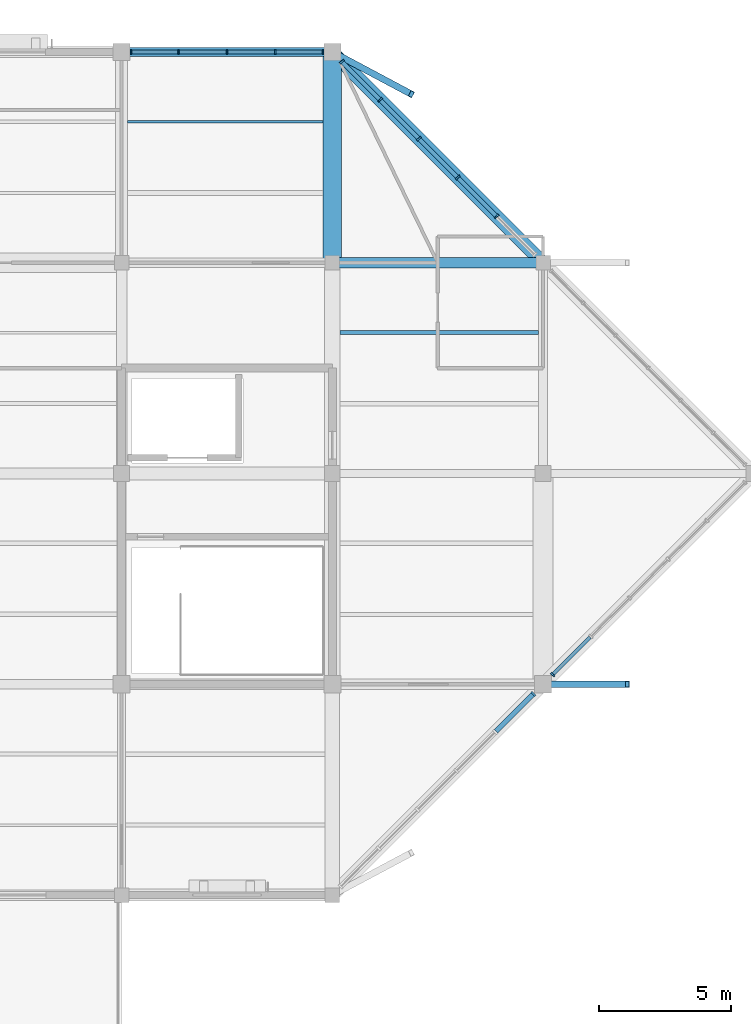
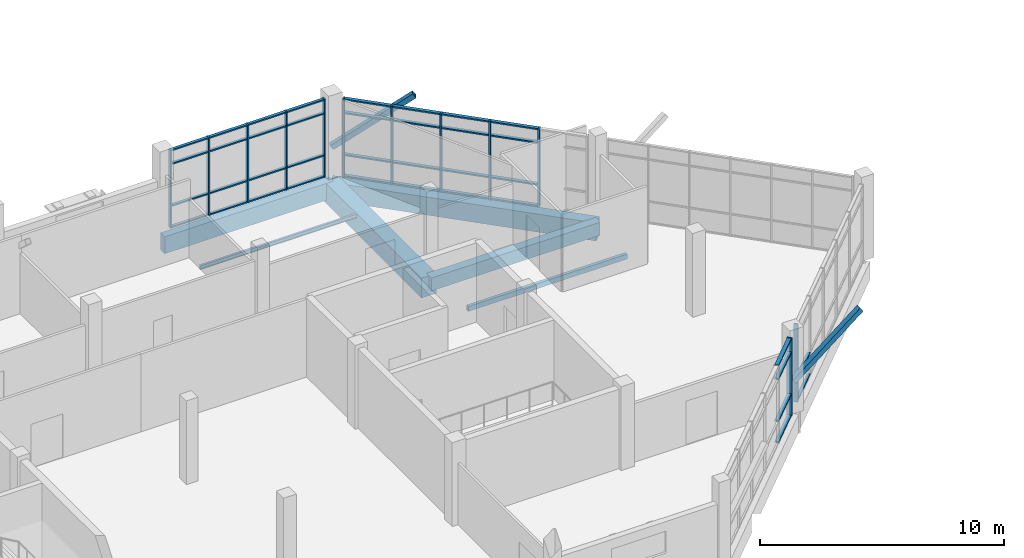
# One storey, part 22 of 72: 52 members, 6 beams, 4 elements without a shape of their own.
"""IFC4 building model written with IfcOpenShell, lengths in metres."""

from ifc_helpers import new_model, si_unit, direction, frame, origin, origin_2d, place, context, subcontext, project, spatial, rectangle, hollow_rectangle, i_section, extrude, material, material_profile, profile_set, type_object, element, aggregate, save


model = new_model("IFC4")

# Units and contexts
model_context = context("Model", 3, precision=1e-05, world=origin(), true_north=direction((0.0, 1.0)))
body_context = subcontext(model_context, "Body", "Model", "MODEL_VIEW")
ifc_project = project(units=[si_unit("LENGTHUNIT", "METRE"), si_unit("AREAUNIT", "SQUARE_METRE"), si_unit("VOLUMEUNIT", "CUBIC_METRE"), si_unit("PLANEANGLEUNIT", "RADIAN"), si_unit("MASSUNIT", "GRAM", prefix="KILO")], contexts=[model_context])

# Site, building, storey
site_placement = place(None, origin())
site = spatial("IfcSite", under=ifc_project, at=site_placement, CompositionType="ELEMENT")
building_placement = place(site_placement, origin())
building = spatial("IfcBuilding", under=site, at=building_placement, Name="Tenunan Teduh Sports Hall", CompositionType="ELEMENT")
storey_placement = place(building_placement, frame((0.0, 0.0, 15.0)))
storey = spatial("IfcBuildingStorey", under=building, at=storey_placement, Name="L03", CompositionType="ELEMENT", Elevation=15.0)

# Beams
ifc_material_1 = material(Name="Concrete C40/50", Category="concrete")
ifc_material_profile_1 = material_profile(ifc_material_1, rectangle(XDim=0.39990234375, YDim=0.64990234375, at=origin_2d()), Name="RCB 400x650")
ifc_profile_set_1 = profile_set([ifc_material_profile_1], Name="Concrete C40/50")
beam_type_1 = type_object("IfcBeamType", Name="BM-RC-400x650", PredefinedType="BEAM", material=ifc_profile_set_1)
beam_1_placement = place(storey_placement, frame((62.0, 110.0, -0.56494140625), z_axis=(1.0, 0.0, 0.0), x_axis=(0.0, 1.0, 0.0)))
element("IfcBeam", 1, at=beam_1_placement, inside=storey, type_object=beam_type_1, Name="BM-B-07-L03-1869", PredefinedType="BEAM", context=body_context, shape_type="SweptSolid", body=[
    extrude(rectangle(XDim=0.39990234375, YDim=0.64990234375, at=origin_2d()), origin(), (0.0, 0.0, 1.0), 8.0),
])
ifc_material_2 = material(Name="Concrete C40/50", Category="concrete")
ifc_material_profile_2 = material_profile(ifc_material_2, rectangle(XDim=0.5, YDim=0.89990234375, at=origin_2d()), Name="RCB 500x900")
ifc_profile_set_2 = profile_set([ifc_material_profile_2], Name="Concrete C40/50")
beam_type_2 = type_object("IfcBeamType", Name="BM-RC-500x900", PredefinedType="BEAM", material=ifc_profile_set_2)
beam_2_placement = place(storey_placement, frame((70.0, 110.0, -0.68994140625), z_axis=(-0.707106781187, 0.707106781187, 0.0), x_axis=(-0.707106781187, -0.707106781187, 0.0)))
element("IfcBeam", 2, at=beam_2_placement, inside=storey, type_object=beam_type_2, Name="BM-B-15-L03-0611", PredefinedType="BEAM", context=body_context, shape_type="SweptSolid", body=[
    extrude(rectangle(XDim=0.5, YDim=0.89990234375, at=origin_2d()), origin(), (0.0, 0.0, 1.0), 11.313720703125),
])
ifc_material_3 = material(Name="Concrete C40/50", Category="concrete")
ifc_material_profile_3 = material_profile(ifc_material_3, rectangle(XDim=0.699951171875, YDim=1.0, at=origin_2d()), Name="RCB 700x1000")
ifc_profile_set_3 = profile_set([ifc_material_profile_3], Name="Concrete C40/50")
beam_type_3 = type_object("IfcBeamType", Name="BM-RC-700x1000", PredefinedType="SPANDREL", material=ifc_profile_set_3)
beam_3_placement = place(storey_placement, frame((62.0, 110.0, -0.739990234375), z_axis=(0.0, 1.0, 0.0), x_axis=(-1.0, 0.0, 0.0)))
element("IfcBeam", 3, at=beam_3_placement, inside=storey, type_object=beam_type_3, Name="BM-B-19-L03-1929", PredefinedType="SPANDREL", context=body_context, shape_type="SweptSolid", body=[
    extrude(rectangle(XDim=0.699951171875, YDim=1.0, at=origin_2d()), origin(), (0.0, 0.0, 1.0), 8.0),
])
ifc_material_4 = material(Name="Concrete C40/50", Category="concrete")
ifc_material_profile_4 = material_profile(ifc_material_4, rectangle(XDim=0.35009765625, YDim=0.85009765625, at=origin_2d()), Name="SPB 350x850")
ifc_profile_set_4 = profile_set([ifc_material_profile_4], Name="Concrete C40/50")
beam_type_4 = type_object("IfcBeamType", Name="BM-SP-350x850", PredefinedType="SPANDREL", material=ifc_profile_set_4)
beam_4_placement = place(storey_placement, frame((54.0, 118.0, -0.6650390625), z_axis=(1.0, 0.0, 0.0), x_axis=(0.0, 1.0, 0.0)))
element("IfcBeam", 4, at=beam_4_placement, inside=storey, type_object=beam_type_4, Name="BM-SP-02-L03-1876", PredefinedType="SPANDREL", context=body_context, shape_type="SweptSolid", body=[
    extrude(rectangle(XDim=0.35009765625, YDim=0.85009765625, at=origin_2d()), origin(), (0.0, 0.0, 1.0), 8.0),
])

# Curtain wall, member
ifc_material_5 = material(Name="Anodised aluminium", Category="aluminium")
curtain_wall_type = type_object("IfcCurtainWallType", Name="CW-UNIT-2", PredefinedType="NOTDEFINED", material=ifc_material_5)
curtain_wall_1_placement = place(storey_placement, origin())
curtain_wall_1 = element("IfcCurtainWall", 5, at=curtain_wall_1_placement, inside=storey, type_object=curtain_wall_type, Name="CW-CWM-175-L03-222", PredefinedType="NOTDEFINED")
ifc_material_6 = material(Name="Anodised aluminium", Category="aluminium")
ifc_material_profile_5 = material_profile(ifc_material_6, rectangle(XDim=0.06494140625, YDim=0.175048828125, at=origin_2d()), Name="CWM 65x175")
ifc_profile_set_5 = profile_set([ifc_material_profile_5], Name="Anodised aluminium")
member_type_1 = type_object("IfcMemberType", Name="CWM-175", PredefinedType="MULLION", material=ifc_profile_set_5)
member_1_placement = place(storey_placement, frame((70.3642578125, 94.3642578125, 0.0), z_axis=(0.0, 0.0, 1.0), x_axis=(0.707106781187, 0.707106781187, 0.0)))
member_1 = element("IfcMember", 6, at=member_1_placement, type_object=member_type_1, Name="CW-02 mullion 1", PredefinedType="MULLION", context=body_context, shape_type="SweptSolid", body=[
    extrude(rectangle(XDim=0.06494140625, YDim=0.175048828125, at=origin_2d()), origin(), (0.0, 0.0, 1.0), 3.919921875),
])

# Curtain wall, members
curtain_wall_2_placement = place(storey_placement, origin())
curtain_wall_2 = element("IfcCurtainWall", 7, at=curtain_wall_2_placement, inside=storey, type_object=curtain_wall_type, Name="CW-CWM-175-L03-226", PredefinedType="NOTDEFINED")
member_2_placement = place(storey_placement, frame((54.357421875, 118.0, 0.0), z_axis=(0.0, 0.0, 1.0), x_axis=(1.0, 0.0, 0.0)))
member_2 = element("IfcMember", 8, at=member_2_placement, type_object=member_type_1, Name="CW-02 mullion 1", PredefinedType="MULLION", context=body_context, shape_type="SweptSolid", body=[
    extrude(rectangle(XDim=0.06494140625, YDim=0.175048828125, at=origin_2d()), origin(), (0.0, 0.0, 1.0), 3.919921875),
])
member_3_placement = place(storey_placement, frame((56.16259765625, 118.0, 0.0), z_axis=(0.0, 0.0, 1.0), x_axis=(1.0, 0.0, 0.0)))
member_3 = element("IfcMember", 9, at=member_3_placement, type_object=member_type_1, Name="CW-02 mullion 2", PredefinedType="MULLION", context=body_context, shape_type="SweptSolid", body=[
    extrude(rectangle(XDim=0.06494140625, YDim=0.175048828125, at=origin_2d()), origin(), (0.0, 0.0, 1.0), 3.919921875),
])
member_4_placement = place(storey_placement, frame((58.0, 118.0, 0.0), z_axis=(0.0, 0.0, 1.0), x_axis=(1.0, 0.0, 0.0)))
member_4 = element("IfcMember", 10, at=member_4_placement, type_object=member_type_1, Name="CW-02 mullion 3", PredefinedType="MULLION", context=body_context, shape_type="SweptSolid", body=[
    extrude(rectangle(XDim=0.06494140625, YDim=0.175048828125, at=origin_2d()), origin(), (0.0, 0.0, 1.0), 3.919921875),
])
member_5_placement = place(storey_placement, frame((59.83740234375, 118.0, 0.0), z_axis=(0.0, 0.0, 1.0), x_axis=(1.0, 0.0, 0.0)))
member_5 = element("IfcMember", 11, at=member_5_placement, type_object=member_type_1, Name="CW-02 mullion 4", PredefinedType="MULLION", context=body_context, shape_type="SweptSolid", body=[
    extrude(rectangle(XDim=0.06494140625, YDim=0.175048828125, at=origin_2d()), origin(), (0.0, 0.0, 1.0), 3.919921875),
])
member_6_placement = place(storey_placement, frame((61.642578125, 118.0, 0.0), z_axis=(0.0, 0.0, 1.0), x_axis=(1.0, 0.0, 0.0)))
member_6 = element("IfcMember", 12, at=member_6_placement, type_object=member_type_1, Name="CW-02 mullion 5", PredefinedType="MULLION", context=body_context, shape_type="SweptSolid", body=[
    extrude(rectangle(XDim=0.06494140625, YDim=0.175048828125, at=origin_2d()), origin(), (0.0, 0.0, 1.0), 3.919921875),
])

curtain_wall_3_placement = place(storey_placement, origin())
curtain_wall_3 = element("IfcCurtainWall", 13, at=curtain_wall_3_placement, inside=storey, type_object=curtain_wall_type, Name="CW-CWM-200-L03-224", PredefinedType="NOTDEFINED")
ifc_material_7 = material(Name="Anodised aluminium", Category="aluminium")
ifc_material_profile_6 = material_profile(ifc_material_7, rectangle(XDim=0.070068359375, YDim=0.199951171875, at=origin_2d()), Name="CWM 70x200")
ifc_profile_set_6 = profile_set([ifc_material_profile_6], Name="Anodised aluminium")
member_type_2 = type_object("IfcMemberType", Name="CWM-200", PredefinedType="MULLION", material=ifc_profile_set_6)
member_7_placement = place(storey_placement, frame((68.2373046875, 111.7626953125, 0.0), z_axis=(0.0, 0.0, 1.0), x_axis=(-0.707106781187, 0.707106781187, 0.0)))
member_7 = element("IfcMember", 14, at=member_7_placement, type_object=member_type_2, Name="CW-02 mullion 2", PredefinedType="MULLION", context=body_context, shape_type="SweptSolid", body=[
    extrude(rectangle(XDim=0.070068359375, YDim=0.199951171875, at=origin_2d()), origin(), (0.0, 0.0, 1.0), 3.919921875),
])
member_8_placement = place(storey_placement, frame((66.76318359375, 113.23681640625, 0.0), z_axis=(0.0, 0.0, 1.0), x_axis=(-0.707106781187, 0.707106781187, 0.0)))
member_8 = element("IfcMember", 15, at=member_8_placement, type_object=member_type_2, Name="CW-02 mullion 3", PredefinedType="MULLION", context=body_context, shape_type="SweptSolid", body=[
    extrude(rectangle(XDim=0.070068359375, YDim=0.199951171875, at=origin_2d()), origin(), (0.0, 0.0, 1.0), 3.919921875),
])
member_9_placement = place(storey_placement, frame((65.289306640625, 114.710693359375, 0.0), z_axis=(0.0, 0.0, 1.0), x_axis=(-0.707106781187, 0.707106781187, 0.0)))
member_9 = element("IfcMember", 16, at=member_9_placement, type_object=member_type_2, Name="CW-02 mullion 4", PredefinedType="MULLION", context=body_context, shape_type="SweptSolid", body=[
    extrude(rectangle(XDim=0.070068359375, YDim=0.199951171875, at=origin_2d()), origin(), (0.0, 0.0, 1.0), 3.919921875),
])
member_10_placement = place(storey_placement, frame((63.815185546875, 116.184814453125, 0.0), z_axis=(0.0, 0.0, 1.0), x_axis=(-0.707106781187, 0.707106781187, 0.0)))
member_10 = element("IfcMember", 17, at=member_10_placement, type_object=member_type_2, Name="CW-02 mullion 5", PredefinedType="MULLION", context=body_context, shape_type="SweptSolid", body=[
    extrude(rectangle(XDim=0.070068359375, YDim=0.199951171875, at=origin_2d()), origin(), (0.0, 0.0, 1.0), 3.919921875),
])
member_11_placement = place(storey_placement, frame((62.365966796875, 117.634033203125, 0.0), z_axis=(0.0, 0.0, 1.0), x_axis=(-0.707106781187, 0.707106781187, 0.0)))
member_11 = element("IfcMember", 18, at=member_11_placement, type_object=member_type_2, Name="CW-02 mullion 6", PredefinedType="MULLION", context=body_context, shape_type="SweptSolid", body=[
    extrude(rectangle(XDim=0.070068359375, YDim=0.199951171875, at=origin_2d()), origin(), (0.0, 0.0, 1.0), 3.919921875),
])

# Curtain wall, member
curtain_wall_4_placement = place(storey_placement, origin())
curtain_wall_4 = element("IfcCurtainWall", 19, at=curtain_wall_4_placement, inside=storey, type_object=curtain_wall_type, Name="CW-CWM-220-L03-221", PredefinedType="NOTDEFINED")
ifc_material_8 = material(Name="Anodised aluminium", Category="aluminium")
ifc_material_profile_7 = material_profile(ifc_material_8, rectangle(XDim=0.074951171875, YDim=0.219970703125, at=origin_2d()), Name="CWM 75x220")
ifc_profile_set_7 = profile_set([ifc_material_profile_7], Name="Anodised aluminium")
member_type_3 = type_object("IfcMemberType", Name="CWM-220", PredefinedType="MULLION", material=ifc_profile_set_7)
member_12_placement = place(storey_placement, frame((69.632080078125, 93.632080078125, 0.0), z_axis=(0.0, 0.0, 1.0), x_axis=(0.707101844633, 0.707111717706, 0.0)))
member_12 = element("IfcMember", 20, at=member_12_placement, type_object=member_type_3, Name="CW-02 mullion 6", PredefinedType="MULLION", context=body_context, shape_type="SweptSolid", body=[
    extrude(rectangle(XDim=0.074951171875, YDim=0.219970703125, at=origin_2d()), origin(), (0.0, 0.0, 1.0), 3.919921875),
])

# Member
ifc_material_9 = material(Name="Anodised aluminium", Category="aluminium")
ifc_material_profile_8 = material_profile(ifc_material_9, rectangle(XDim=0.06494140625, YDim=0.139892578125, at=origin_2d()), Name="CWT 65x140")
ifc_profile_set_8 = profile_set([ifc_material_profile_8], Name="Anodised aluminium")
member_type_4 = type_object("IfcMemberType", Name="CWT-150", PredefinedType="USERDEFINED", material=ifc_profile_set_8)
member_13_placement = place(storey_placement, frame((70.38720703125, 94.38720703125, 0.032470703125), z_axis=(0.707106781187, 0.707106781187, 0.0), x_axis=(0.0, 0.0, 1.0)))
member_13 = element("IfcMember", 21, at=member_13_placement, type_object=member_type_4, Name="CW-02 transom 1.1", ObjectType="TRANSOM", PredefinedType="USERDEFINED", context=body_context, shape_type="SweptSolid", body=[
    extrude(rectangle(XDim=0.06494140625, YDim=0.139892578125, at=origin_2d()), origin(), (0.0, 0.0, 1.0), 1.979736328125),
])

member_14_placement = place(storey_placement, frame((70.38720703125, 94.38720703125, 1.10009765625), z_axis=(0.707106781187, 0.707106781187, 0.0), x_axis=(0.0, 0.0, 1.0)))
member_14 = element("IfcMember", 22, at=member_14_placement, type_object=member_type_4, Name="CW-02 transom 1.2", ObjectType="TRANSOM", PredefinedType="USERDEFINED", context=body_context, shape_type="SweptSolid", body=[
    extrude(rectangle(XDim=0.06494140625, YDim=0.139892578125, at=origin_2d()), origin(), (0.0, 0.0, 1.0), 1.979736328125),
])

aggregate(curtain_wall_1, [member_1, member_13, member_14])

member_15_placement = place(storey_placement, frame((54.389892578125, 118.0, 0.032470703125), z_axis=(1.0, 0.0, 0.0), x_axis=(0.0, 0.0, 1.0)))
member_15 = element("IfcMember", 23, at=member_15_placement, type_object=member_type_4, Name="CW-02 transom 1.1", ObjectType="TRANSOM", PredefinedType="USERDEFINED", context=body_context, shape_type="SweptSolid", body=[
    extrude(rectangle(XDim=0.06494140625, YDim=0.139892578125, at=origin_2d()), origin(), (0.0, 0.0, 1.0), 1.739990234375),
])

member_16_placement = place(storey_placement, frame((54.389892578125, 118.0, 1.10009765625), z_axis=(1.0, 0.0, 0.0), x_axis=(0.0, 0.0, 1.0)))
member_16 = element("IfcMember", 24, at=member_16_placement, type_object=member_type_4, Name="CW-02 transom 1.2", ObjectType="TRANSOM", PredefinedType="USERDEFINED", context=body_context, shape_type="SweptSolid", body=[
    extrude(rectangle(XDim=0.06494140625, YDim=0.139892578125, at=origin_2d()), origin(), (0.0, 0.0, 1.0), 1.739990234375),
])

member_17_placement = place(storey_placement, frame((54.389892578125, 118.0, 3.199951171875), z_axis=(1.0, 0.0, 0.0), x_axis=(0.0, 0.0, 1.0)))
member_17 = element("IfcMember", 25, at=member_17_placement, type_object=member_type_4, Name="CW-02 transom 1.3", ObjectType="TRANSOM", PredefinedType="USERDEFINED", context=body_context, shape_type="SweptSolid", body=[
    extrude(rectangle(XDim=0.06494140625, YDim=0.139892578125, at=origin_2d()), origin(), (0.0, 0.0, 1.0), 1.739990234375),
])

member_18_placement = place(storey_placement, frame((54.389892578125, 118.0, 3.887451171875), z_axis=(1.0, 0.0, 0.0), x_axis=(0.0, 0.0, 1.0)))
member_18 = element("IfcMember", 26, at=member_18_placement, type_object=member_type_4, Name="CW-02 transom 1.4", ObjectType="TRANSOM", PredefinedType="USERDEFINED", context=body_context, shape_type="SweptSolid", body=[
    extrude(rectangle(XDim=0.06494140625, YDim=0.139892578125, at=origin_2d()), origin(), (0.0, 0.0, 1.0), 1.739990234375),
])

member_19_placement = place(storey_placement, frame((56.195068359375, 118.0, 0.032470703125), z_axis=(1.0, 0.0, 0.0), x_axis=(0.0, 0.0, 1.0)))
member_19 = element("IfcMember", 27, at=member_19_placement, type_object=member_type_4, Name="CW-02 transom 2.1", ObjectType="TRANSOM", PredefinedType="USERDEFINED", context=body_context, shape_type="SweptSolid", body=[
    extrude(rectangle(XDim=0.06494140625, YDim=0.139892578125, at=origin_2d()), origin(), (0.0, 0.0, 1.0), 1.7724609375),
])

member_20_placement = place(storey_placement, frame((56.195068359375, 118.0, 1.10009765625), z_axis=(1.0, 0.0, 0.0), x_axis=(0.0, 0.0, 1.0)))
member_20 = element("IfcMember", 28, at=member_20_placement, type_object=member_type_4, Name="CW-02 transom 2.2", ObjectType="TRANSOM", PredefinedType="USERDEFINED", context=body_context, shape_type="SweptSolid", body=[
    extrude(rectangle(XDim=0.06494140625, YDim=0.139892578125, at=origin_2d()), origin(), (0.0, 0.0, 1.0), 1.7724609375),
])

member_21_placement = place(storey_placement, frame((56.195068359375, 118.0, 3.199951171875), z_axis=(1.0, 0.0, 0.0), x_axis=(0.0, 0.0, 1.0)))
member_21 = element("IfcMember", 29, at=member_21_placement, type_object=member_type_4, Name="CW-02 transom 2.3", ObjectType="TRANSOM", PredefinedType="USERDEFINED", context=body_context, shape_type="SweptSolid", body=[
    extrude(rectangle(XDim=0.06494140625, YDim=0.139892578125, at=origin_2d()), origin(), (0.0, 0.0, 1.0), 1.7724609375),
])

member_22_placement = place(storey_placement, frame((56.195068359375, 118.0, 3.887451171875), z_axis=(1.0, 0.0, 0.0), x_axis=(0.0, 0.0, 1.0)))
member_22 = element("IfcMember", 30, at=member_22_placement, type_object=member_type_4, Name="CW-02 transom 2.4", ObjectType="TRANSOM", PredefinedType="USERDEFINED", context=body_context, shape_type="SweptSolid", body=[
    extrude(rectangle(XDim=0.06494140625, YDim=0.139892578125, at=origin_2d()), origin(), (0.0, 0.0, 1.0), 1.7724609375),
])

member_23_placement = place(storey_placement, frame((58.032470703125, 118.0, 0.032470703125), z_axis=(1.0, 0.0, 0.0), x_axis=(0.0, 0.0, 1.0)))
member_23 = element("IfcMember", 31, at=member_23_placement, type_object=member_type_4, Name="CW-02 transom 3.1", ObjectType="TRANSOM", PredefinedType="USERDEFINED", context=body_context, shape_type="SweptSolid", body=[
    extrude(rectangle(XDim=0.06494140625, YDim=0.139892578125, at=origin_2d()), origin(), (0.0, 0.0, 1.0), 1.7724609375),
])

member_24_placement = place(storey_placement, frame((58.032470703125, 118.0, 1.10009765625), z_axis=(1.0, 0.0, 0.0), x_axis=(0.0, 0.0, 1.0)))
member_24 = element("IfcMember", 32, at=member_24_placement, type_object=member_type_4, Name="CW-02 transom 3.2", ObjectType="TRANSOM", PredefinedType="USERDEFINED", context=body_context, shape_type="SweptSolid", body=[
    extrude(rectangle(XDim=0.06494140625, YDim=0.139892578125, at=origin_2d()), origin(), (0.0, 0.0, 1.0), 1.7724609375),
])

member_25_placement = place(storey_placement, frame((58.032470703125, 118.0, 3.199951171875), z_axis=(1.0, 0.0, 0.0), x_axis=(0.0, 0.0, 1.0)))
member_25 = element("IfcMember", 33, at=member_25_placement, type_object=member_type_4, Name="CW-02 transom 3.3", ObjectType="TRANSOM", PredefinedType="USERDEFINED", context=body_context, shape_type="SweptSolid", body=[
    extrude(rectangle(XDim=0.06494140625, YDim=0.139892578125, at=origin_2d()), origin(), (0.0, 0.0, 1.0), 1.7724609375),
])

member_26_placement = place(storey_placement, frame((58.032470703125, 118.0, 3.887451171875), z_axis=(1.0, 0.0, 0.0), x_axis=(0.0, 0.0, 1.0)))
member_26 = element("IfcMember", 34, at=member_26_placement, type_object=member_type_4, Name="CW-02 transom 3.4", ObjectType="TRANSOM", PredefinedType="USERDEFINED", context=body_context, shape_type="SweptSolid", body=[
    extrude(rectangle(XDim=0.06494140625, YDim=0.139892578125, at=origin_2d()), origin(), (0.0, 0.0, 1.0), 1.7724609375),
])

member_27_placement = place(storey_placement, frame((59.8701171875, 118.0, 0.032470703125), z_axis=(1.0, 0.0, 0.0), x_axis=(0.0, 0.0, 1.0)))
member_27 = element("IfcMember", 35, at=member_27_placement, type_object=member_type_4, Name="CW-02 transom 4.1", ObjectType="TRANSOM", PredefinedType="USERDEFINED", context=body_context, shape_type="SweptSolid", body=[
    extrude(rectangle(XDim=0.06494140625, YDim=0.139892578125, at=origin_2d()), origin(), (0.0, 0.0, 1.0), 1.739990234375),
])

member_28_placement = place(storey_placement, frame((59.8701171875, 118.0, 1.10009765625), z_axis=(1.0, 0.0, 0.0), x_axis=(0.0, 0.0, 1.0)))
member_28 = element("IfcMember", 36, at=member_28_placement, type_object=member_type_4, Name="CW-02 transom 4.2", ObjectType="TRANSOM", PredefinedType="USERDEFINED", context=body_context, shape_type="SweptSolid", body=[
    extrude(rectangle(XDim=0.06494140625, YDim=0.139892578125, at=origin_2d()), origin(), (0.0, 0.0, 1.0), 1.739990234375),
])

member_29_placement = place(storey_placement, frame((59.8701171875, 118.0, 3.199951171875), z_axis=(1.0, 0.0, 0.0), x_axis=(0.0, 0.0, 1.0)))
member_29 = element("IfcMember", 37, at=member_29_placement, type_object=member_type_4, Name="CW-02 transom 4.3", ObjectType="TRANSOM", PredefinedType="USERDEFINED", context=body_context, shape_type="SweptSolid", body=[
    extrude(rectangle(XDim=0.06494140625, YDim=0.139892578125, at=origin_2d()), origin(), (0.0, 0.0, 1.0), 1.739990234375),
])

member_30_placement = place(storey_placement, frame((59.8701171875, 118.0, 3.887451171875), z_axis=(1.0, 0.0, 0.0), x_axis=(0.0, 0.0, 1.0)))
member_30 = element("IfcMember", 38, at=member_30_placement, type_object=member_type_4, Name="CW-02 transom 4.4", ObjectType="TRANSOM", PredefinedType="USERDEFINED", context=body_context, shape_type="SweptSolid", body=[
    extrude(rectangle(XDim=0.06494140625, YDim=0.139892578125, at=origin_2d()), origin(), (0.0, 0.0, 1.0), 1.739990234375),
])

aggregate(curtain_wall_2, [member_2, member_3, member_4, member_5, member_6, member_15, member_16, member_17, member_18, member_19, member_20, member_21, member_22, member_23, member_24, member_25, member_26, member_27, member_28, member_29, member_30])

ifc_material_10 = material(Name="Anodised aluminium", Category="aluminium")
ifc_material_profile_9 = material_profile(ifc_material_10, rectangle(XDim=0.074951171875, YDim=0.179931640625, at=origin_2d()), Name="CWT 75x180")
ifc_profile_set_9 = profile_set([ifc_material_profile_9], Name="Anodised aluminium")
member_type_5 = type_object("IfcMemberType", Name="CWT-180", PredefinedType="USERDEFINED", material=ifc_profile_set_9)
member_31_placement = place(storey_placement, frame((68.211181640625, 92.211181640625, 0.03759765625), z_axis=(0.707106781187, 0.707106781187, 0.0), x_axis=(0.0, 0.0, 1.0)))
member_31 = element("IfcMember", 39, at=member_31_placement, type_object=member_type_5, Name="CW-02 transom 5.1", ObjectType="TRANSOM", PredefinedType="USERDEFINED", context=body_context, shape_type="SweptSolid", body=[
    extrude(rectangle(XDim=0.074951171875, YDim=0.179931640625, at=origin_2d()), origin(), (0.0, 0.0, 1.0), 1.97216796875),
])

member_32_placement = place(storey_placement, frame((68.211181640625, 92.211181640625, 1.10009765625), z_axis=(0.707106781187, 0.707106781187, 0.0), x_axis=(0.0, 0.0, 1.0)))
member_32 = element("IfcMember", 40, at=member_32_placement, type_object=member_type_5, Name="CW-02 transom 5.2", ObjectType="TRANSOM", PredefinedType="USERDEFINED", context=body_context, shape_type="SweptSolid", body=[
    extrude(rectangle(XDim=0.074951171875, YDim=0.179931640625, at=origin_2d()), origin(), (0.0, 0.0, 1.0), 1.97216796875),
])

member_33_placement = place(storey_placement, frame((68.211181640625, 92.211181640625, 3.199951171875), z_axis=(0.707106781187, 0.707106781187, 0.0), x_axis=(0.0, 0.0, 1.0)))
member_33 = element("IfcMember", 41, at=member_33_placement, type_object=member_type_5, Name="CW-02 transom 5.3", ObjectType="TRANSOM", PredefinedType="USERDEFINED", context=body_context, shape_type="SweptSolid", body=[
    extrude(rectangle(XDim=0.074951171875, YDim=0.179931640625, at=origin_2d()), origin(), (0.0, 0.0, 1.0), 1.97216796875),
])

member_34_placement = place(storey_placement, frame((68.211181640625, 92.211181640625, 3.882568359375), z_axis=(0.707106781187, 0.707106781187, 0.0), x_axis=(0.0, 0.0, 1.0)))
member_34 = element("IfcMember", 42, at=member_34_placement, type_object=member_type_5, Name="CW-02 transom 5.4", ObjectType="TRANSOM", PredefinedType="USERDEFINED", context=body_context, shape_type="SweptSolid", body=[
    extrude(rectangle(XDim=0.074951171875, YDim=0.179931640625, at=origin_2d()), origin(), (0.0, 0.0, 1.0), 1.97216796875),
])

aggregate(curtain_wall_4, [member_12, member_31, member_32, member_33, member_34])

ifc_material_11 = material(Name="Anodised aluminium", Category="aluminium")
ifc_material_profile_10 = material_profile(ifc_material_11, rectangle(XDim=0.070068359375, YDim=0.159912109375, at=origin_2d()), Name="CWT 70x160")
ifc_profile_set_10 = profile_set([ifc_material_profile_10], Name="Anodised aluminium")
member_type_6 = type_object("IfcMemberType", Name="CWT-200", PredefinedType="USERDEFINED", material=ifc_profile_set_10)
member_35_placement = place(storey_placement, frame((68.212646484375, 111.787353515625, 0.034912109375), z_axis=(-0.707106781187, 0.707106781187, 0.0), x_axis=(0.0, 0.0, 1.0)))
member_35 = element("IfcMember", 43, at=member_35_placement, type_object=member_type_6, Name="CW-02 transom 2.1", ObjectType="TRANSOM", PredefinedType="USERDEFINED", context=body_context, shape_type="SweptSolid", body=[
    extrude(rectangle(XDim=0.070068359375, YDim=0.159912109375, at=origin_2d()), origin(), (0.0, 0.0, 1.0), 2.0146484375),
])

member_36_placement = place(storey_placement, frame((68.212646484375, 111.787353515625, 1.10009765625), z_axis=(-0.707106781187, 0.707106781187, 0.0), x_axis=(0.0, 0.0, 1.0)))
member_36 = element("IfcMember", 44, at=member_36_placement, type_object=member_type_6, Name="CW-02 transom 2.2", ObjectType="TRANSOM", PredefinedType="USERDEFINED", context=body_context, shape_type="SweptSolid", body=[
    extrude(rectangle(XDim=0.070068359375, YDim=0.159912109375, at=origin_2d()), origin(), (0.0, 0.0, 1.0), 2.0146484375),
])

member_37_placement = place(storey_placement, frame((68.212646484375, 111.787353515625, 3.199951171875), z_axis=(-0.707106781187, 0.707106781187, 0.0), x_axis=(0.0, 0.0, 1.0)))
member_37 = element("IfcMember", 45, at=member_37_placement, type_object=member_type_6, Name="CW-02 transom 2.3", ObjectType="TRANSOM", PredefinedType="USERDEFINED", context=body_context, shape_type="SweptSolid", body=[
    extrude(rectangle(XDim=0.070068359375, YDim=0.159912109375, at=origin_2d()), origin(), (0.0, 0.0, 1.0), 2.0146484375),
])

member_38_placement = place(storey_placement, frame((68.212646484375, 111.787353515625, 3.885009765625), z_axis=(-0.707106781187, 0.707106781187, 0.0), x_axis=(0.0, 0.0, 1.0)))
member_38 = element("IfcMember", 46, at=member_38_placement, type_object=member_type_6, Name="CW-02 transom 2.4", ObjectType="TRANSOM", PredefinedType="USERDEFINED", context=body_context, shape_type="SweptSolid", body=[
    extrude(rectangle(XDim=0.070068359375, YDim=0.159912109375, at=origin_2d()), origin(), (0.0, 0.0, 1.0), 2.0146484375),
])

member_39_placement = place(storey_placement, frame((66.738525390625, 113.261474609375, 0.034912109375), z_axis=(-0.707106781187, 0.707106781187, 0.0), x_axis=(0.0, 0.0, 1.0)))
member_39 = element("IfcMember", 47, at=member_39_placement, type_object=member_type_6, Name="CW-02 transom 3.1", ObjectType="TRANSOM", PredefinedType="USERDEFINED", context=body_context, shape_type="SweptSolid", body=[
    extrude(rectangle(XDim=0.070068359375, YDim=0.159912109375, at=origin_2d()), origin(), (0.0, 0.0, 1.0), 2.0146484375),
])

member_40_placement = place(storey_placement, frame((66.738525390625, 113.261474609375, 1.10009765625), z_axis=(-0.707106781187, 0.707106781187, 0.0), x_axis=(0.0, 0.0, 1.0)))
member_40 = element("IfcMember", 48, at=member_40_placement, type_object=member_type_6, Name="CW-02 transom 3.2", ObjectType="TRANSOM", PredefinedType="USERDEFINED", context=body_context, shape_type="SweptSolid", body=[
    extrude(rectangle(XDim=0.070068359375, YDim=0.159912109375, at=origin_2d()), origin(), (0.0, 0.0, 1.0), 2.0146484375),
])

member_41_placement = place(storey_placement, frame((66.738525390625, 113.261474609375, 3.199951171875), z_axis=(-0.707106781187, 0.707106781187, 0.0), x_axis=(0.0, 0.0, 1.0)))
member_41 = element("IfcMember", 49, at=member_41_placement, type_object=member_type_6, Name="CW-02 transom 3.3", ObjectType="TRANSOM", PredefinedType="USERDEFINED", context=body_context, shape_type="SweptSolid", body=[
    extrude(rectangle(XDim=0.070068359375, YDim=0.159912109375, at=origin_2d()), origin(), (0.0, 0.0, 1.0), 2.0146484375),
])

member_42_placement = place(storey_placement, frame((66.738525390625, 113.261474609375, 3.885009765625), z_axis=(-0.707106781187, 0.707106781187, 0.0), x_axis=(0.0, 0.0, 1.0)))
member_42 = element("IfcMember", 50, at=member_42_placement, type_object=member_type_6, Name="CW-02 transom 3.4", ObjectType="TRANSOM", PredefinedType="USERDEFINED", context=body_context, shape_type="SweptSolid", body=[
    extrude(rectangle(XDim=0.070068359375, YDim=0.159912109375, at=origin_2d()), origin(), (0.0, 0.0, 1.0), 2.0146484375),
])

member_43_placement = place(storey_placement, frame((65.2646484375, 114.7353515625, 0.034912109375), z_axis=(-0.707106781187, 0.707106781187, 0.0), x_axis=(0.0, 0.0, 1.0)))
member_43 = element("IfcMember", 51, at=member_43_placement, type_object=member_type_6, Name="CW-02 transom 4.1", ObjectType="TRANSOM", PredefinedType="USERDEFINED", context=body_context, shape_type="SweptSolid", body=[
    extrude(rectangle(XDim=0.070068359375, YDim=0.159912109375, at=origin_2d()), origin(), (0.0, 0.0, 1.0), 2.0146484375),
])

member_44_placement = place(storey_placement, frame((65.2646484375, 114.7353515625, 1.10009765625), z_axis=(-0.707106781187, 0.707106781187, 0.0), x_axis=(0.0, 0.0, 1.0)))
member_44 = element("IfcMember", 52, at=member_44_placement, type_object=member_type_6, Name="CW-02 transom 4.2", ObjectType="TRANSOM", PredefinedType="USERDEFINED", context=body_context, shape_type="SweptSolid", body=[
    extrude(rectangle(XDim=0.070068359375, YDim=0.159912109375, at=origin_2d()), origin(), (0.0, 0.0, 1.0), 2.0146484375),
])

member_45_placement = place(storey_placement, frame((65.2646484375, 114.7353515625, 3.199951171875), z_axis=(-0.707106781187, 0.707106781187, 0.0), x_axis=(0.0, 0.0, 1.0)))
member_45 = element("IfcMember", 53, at=member_45_placement, type_object=member_type_6, Name="CW-02 transom 4.3", ObjectType="TRANSOM", PredefinedType="USERDEFINED", context=body_context, shape_type="SweptSolid", body=[
    extrude(rectangle(XDim=0.070068359375, YDim=0.159912109375, at=origin_2d()), origin(), (0.0, 0.0, 1.0), 2.0146484375),
])

member_46_placement = place(storey_placement, frame((65.2646484375, 114.7353515625, 3.885009765625), z_axis=(-0.707106781187, 0.707106781187, 0.0), x_axis=(0.0, 0.0, 1.0)))
member_46 = element("IfcMember", 54, at=member_46_placement, type_object=member_type_6, Name="CW-02 transom 4.4", ObjectType="TRANSOM", PredefinedType="USERDEFINED", context=body_context, shape_type="SweptSolid", body=[
    extrude(rectangle(XDim=0.070068359375, YDim=0.159912109375, at=origin_2d()), origin(), (0.0, 0.0, 1.0), 2.0146484375),
])

member_47_placement = place(storey_placement, frame((63.79052734375, 116.20947265625, 0.034912109375), z_axis=(-0.707106781187, 0.707106781187, 0.0), x_axis=(0.0, 0.0, 1.0)))
member_47 = element("IfcMember", 55, at=member_47_placement, type_object=member_type_6, Name="CW-02 transom 5.1", ObjectType="TRANSOM", PredefinedType="USERDEFINED", context=body_context, shape_type="SweptSolid", body=[
    extrude(rectangle(XDim=0.070068359375, YDim=0.159912109375, at=origin_2d()), origin(), (0.0, 0.0, 1.0), 1.9794921875),
])

member_48_placement = place(storey_placement, frame((63.79052734375, 116.20947265625, 1.10009765625), z_axis=(-0.707106781187, 0.707106781187, 0.0), x_axis=(0.0, 0.0, 1.0)))
member_48 = element("IfcMember", 56, at=member_48_placement, type_object=member_type_6, Name="CW-02 transom 5.2", ObjectType="TRANSOM", PredefinedType="USERDEFINED", context=body_context, shape_type="SweptSolid", body=[
    extrude(rectangle(XDim=0.070068359375, YDim=0.159912109375, at=origin_2d()), origin(), (0.0, 0.0, 1.0), 1.9794921875),
])

member_49_placement = place(storey_placement, frame((63.79052734375, 116.20947265625, 3.199951171875), z_axis=(-0.707106781187, 0.707106781187, 0.0), x_axis=(0.0, 0.0, 1.0)))
member_49 = element("IfcMember", 57, at=member_49_placement, type_object=member_type_6, Name="CW-02 transom 5.3", ObjectType="TRANSOM", PredefinedType="USERDEFINED", context=body_context, shape_type="SweptSolid", body=[
    extrude(rectangle(XDim=0.070068359375, YDim=0.159912109375, at=origin_2d()), origin(), (0.0, 0.0, 1.0), 1.9794921875),
])

member_50_placement = place(storey_placement, frame((63.79052734375, 116.20947265625, 3.885009765625), z_axis=(-0.707106781187, 0.707106781187, 0.0), x_axis=(0.0, 0.0, 1.0)))
member_50 = element("IfcMember", 58, at=member_50_placement, type_object=member_type_6, Name="CW-02 transom 5.4", ObjectType="TRANSOM", PredefinedType="USERDEFINED", context=body_context, shape_type="SweptSolid", body=[
    extrude(rectangle(XDim=0.070068359375, YDim=0.159912109375, at=origin_2d()), origin(), (0.0, 0.0, 1.0), 1.9794921875),
])

aggregate(curtain_wall_3, [member_7, member_8, member_9, member_10, member_11, member_35, member_36, member_37, member_38, member_39, member_40, member_41, member_42, member_43, member_44, member_45, member_46, member_47, member_48, member_49, member_50])

# Beam
ifc_material_12 = material(Name="Steel S355", Category="steel")
ifc_material_profile_11 = material_profile(ifc_material_12, i_section(OverallWidth=0.10009765625, OverallDepth=0.199951171875, WebThickness=0.005615234375, FlangeThickness=0.008544921875, FilletRadius=0.011962890625, at=origin_2d()), Name="IPE 200")
ifc_profile_set_11 = profile_set([ifc_material_profile_11], Name="Steel S355")
beam_type_5 = type_object("IfcBeamType", Name="JST-IPE200", PredefinedType="JOIST", material=ifc_profile_set_11)
beam_5_placement = place(storey_placement, frame((54.22509765625, 115.35009765625, -0.340087890625), z_axis=(1.0, 0.0, 0.0), x_axis=(0.0, 1.0, 0.0)))
element("IfcBeam", 59, at=beam_5_placement, inside=storey, type_object=beam_type_5, Name="BM-J-01-L03-2005", PredefinedType="JOIST", context=body_context, shape_type="SweptSolid", body=[
    extrude(i_section(OverallWidth=0.10009765625, OverallDepth=0.199951171875, WebThickness=0.005615234375, FlangeThickness=0.008544921875, FilletRadius=0.011962890625, at=origin_2d()), origin(), (0.0, 0.0, 1.0), 7.4248046875),
])

# Members
ifc_material_13 = material(Name="Steel S355", Category="steel")
ifc_material_profile_12 = material_profile(ifc_material_13, hollow_rectangle(XDim=0.25, YDim=0.25, WallThickness=0.012451171875, at=origin_2d()), Name="SHS 250x250x12.5")
ifc_profile_set_12 = profile_set([ifc_material_profile_12], Name="Steel S355")
member_type_7 = type_object("IfcMemberType", Name="MEM-ST-SHS250", PredefinedType="STRUT", material=ifc_profile_set_12)
member_51_placement = place(storey_placement, frame((70.0, 94.0, 1.39990234375), z_axis=(0.785629395177, 0.0, 0.618697384376), x_axis=(0.0, 1.0, 0.0)))
element("IfcMember", 60, at=member_51_placement, inside=storey, type_object=member_type_7, Name="MEM-VS-01-L03-1278", PredefinedType="STRUT", context=body_context, shape_type="SweptSolid", body=[
    extrude(hollow_rectangle(XDim=0.25, YDim=0.25, WallThickness=0.012451171875, at=origin_2d()), origin(), (0.0, 0.0, 1.0), 4.072998046875),
])
member_52_placement = place(storey_placement, frame((62.0, 118.0, 1.39990234375), z_axis=(0.708865156827, -0.378084492012, 0.595451346742), x_axis=(0.470610596591, 0.882341014787, 0.0)))
element("IfcMember", 61, at=member_52_placement, inside=storey, type_object=member_type_7, Name="MEM-VS-01-L03-1280", PredefinedType="STRUT", context=body_context, shape_type="SweptSolid", body=[
    extrude(hollow_rectangle(XDim=0.25, YDim=0.25, WallThickness=0.012451171875, at=origin_2d()), origin(), (0.0, 0.0, 1.0), 4.232177734375),
])

# Beam
ifc_material_14 = material(Name="Steel S355", Category="steel")
ifc_material_profile_13 = material_profile(ifc_material_14, hollow_rectangle(XDim=0.14990234375, YDim=0.25, WallThickness=0.010009765625, at=origin_2d()), Name="RHS 250x150x10.0")
ifc_profile_set_13 = profile_set([ifc_material_profile_13], Name="Steel S355")
beam_type_6 = type_object("IfcBeamType", Name="RBM-RHS250", PredefinedType="BEAM", material=ifc_profile_set_13)
beam_6_placement = place(storey_placement, frame((62.300048828125, 107.35009765625, -0.364990234375), z_axis=(1.0, 0.0, 0.0), x_axis=(0.0, 1.0, 0.0)))
element("IfcBeam", 62, at=beam_6_placement, inside=storey, type_object=beam_type_6, Name="Perimeter Ring Beam BM-RB-04-L03-2009", PredefinedType="BEAM", context=body_context, shape_type="SweptSolid", body=[
    extrude(hollow_rectangle(XDim=0.14990234375, YDim=0.25, WallThickness=0.010009765625, at=origin_2d()), origin(), (0.0, 0.0, 1.0), 7.52490234375),
])

save(model, "model.ifc")
